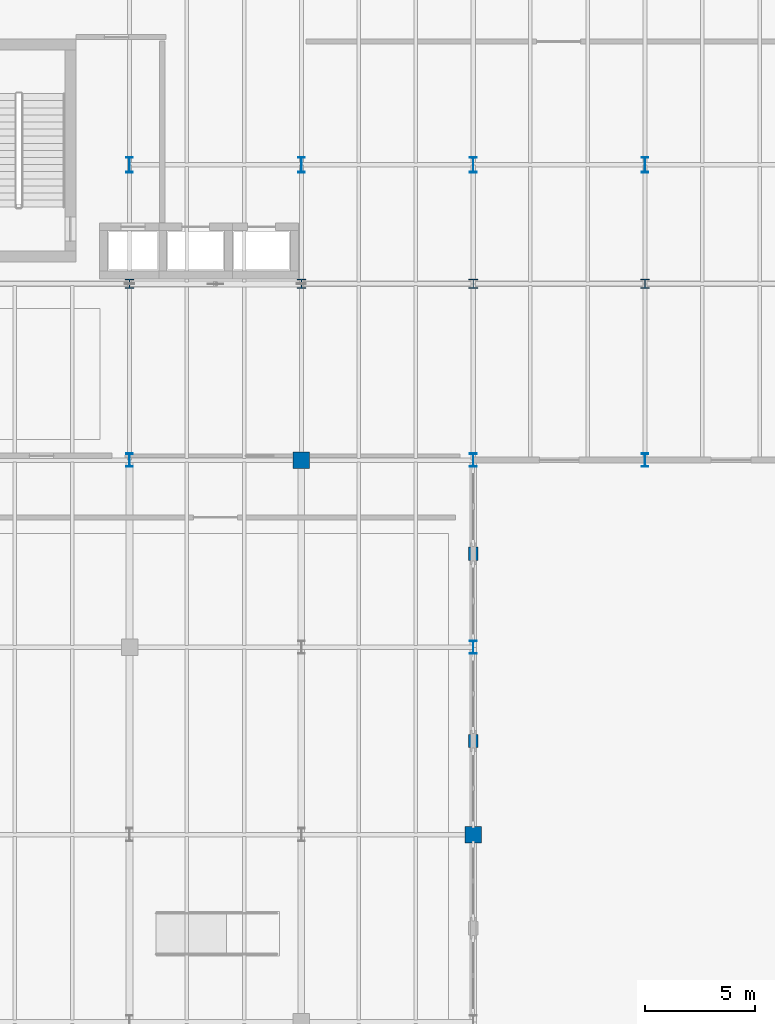
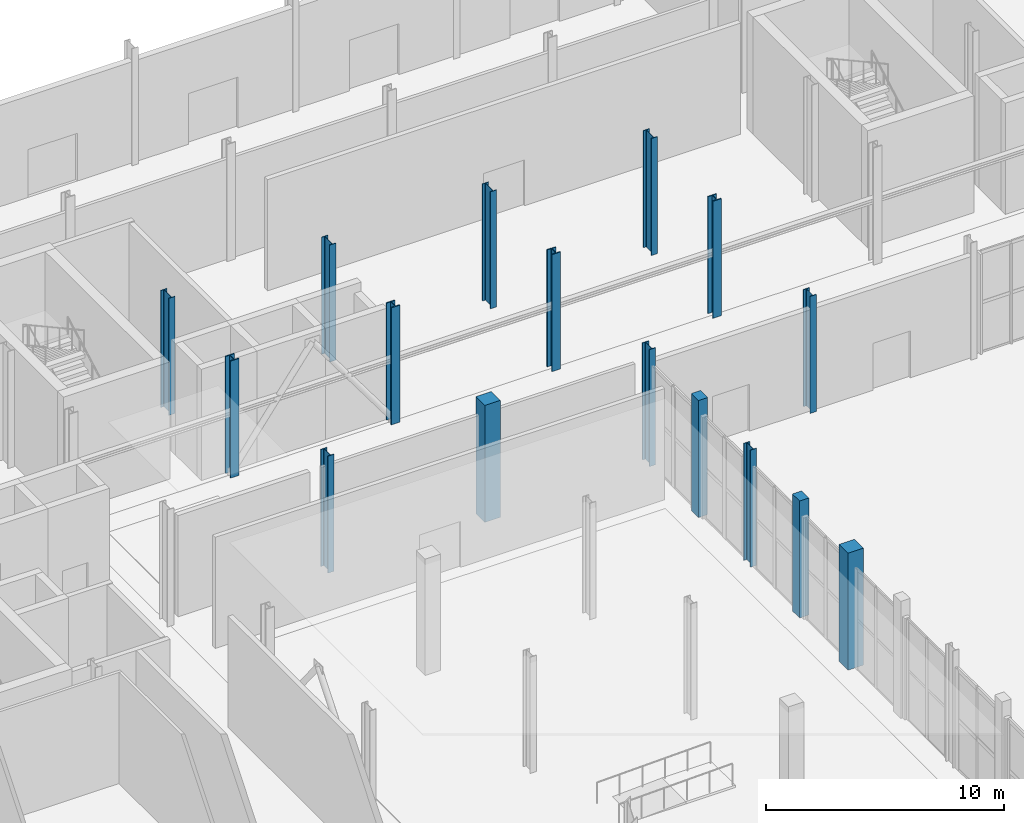
# One storey, part 9 of 84: 16 columns.
"""IFC4 building model written with IfcOpenShell, lengths in metres."""

from ifc_helpers import new_model, si_unit, direction, frame, origin, origin_2d, place, context, subcontext, project, spatial, rectangle, i_section, extrude, material, material_profile, profile_set, type_object, element, save


model = new_model("IFC4")

# Units and contexts
model_context = context("Model", 3, precision=1e-05, world=origin(), true_north=direction((0.0, 1.0)))
body_context = subcontext(model_context, "Body", "Model", "MODEL_VIEW")
ifc_project = project(units=[si_unit("LENGTHUNIT", "METRE"), si_unit("AREAUNIT", "SQUARE_METRE"), si_unit("VOLUMEUNIT", "CUBIC_METRE"), si_unit("PLANEANGLEUNIT", "RADIAN"), si_unit("MASSUNIT", "GRAM", prefix="KILO")], contexts=[model_context])

# Site, building, storey
site_placement = place(None, origin())
site = spatial("IfcSite", under=ifc_project, at=site_placement, CompositionType="ELEMENT")
building_placement = place(site_placement, origin())
building = spatial("IfcBuilding", under=site, at=building_placement, Name="Sefraquen Railside Congress Hotel", CompositionType="ELEMENT")
storey_placement = place(building_placement, origin())
storey = spatial("IfcBuildingStorey", under=building, at=storey_placement, Name="L00", CompositionType="ELEMENT", Elevation=0.0)

# Columns
ifc_material_1 = material(Name="Steel S355J2", Category="steel")
ifc_material_profile_1 = material_profile(ifc_material_1, i_section(OverallWidth=0.416015625, OverallDepth=0.446044921875, WebThickness=0.035888671875, FlangeThickness=0.048095703125, FilletRadius=0.014892578125, at=origin_2d()), Name="HD 400x509")
ifc_profile_set_1 = profile_set([ifc_material_profile_1], Name="Steel S355J2")
column_type_1 = type_object("IfcColumnType", Name="TC-HD-509", PredefinedType="COLUMN", material=ifc_profile_set_1)
for number, where, z_axis, x_axis, name in (
    (1, (33.0, 96.0, 0.0), (0.0, 0.0, 1.0), (1.0, 0.0, 0.0), "Structural column 5-M L00"),
    (2, (40.800048828125, 96.0, 0.0), (0.0, 0.0, 1.0), (1.0, 0.0, 0.0), "Structural column 6-M L00"),
    (3, (48.60009765625, 96.0, 0.0), (0.0, 0.0, 1.0), (1.0, 0.0, 0.0), "Structural column 7-M L00"),
    (4, (56.39990234375, 96.0, 0.0), (0.0, 0.0, 1.0), (1.0, 0.0, 0.0), "Structural column 8-M L00"),
):
    element("IfcColumn", number, at=place(storey_placement, frame(where, z_axis=z_axis, x_axis=x_axis)), inside=storey, type_object=column_type_1, Name=name, PredefinedType="COLUMN", context=body_context, shape_type="SweptSolid", body=[
        extrude(i_section(OverallWidth=0.416015625, OverallDepth=0.446044921875, WebThickness=0.035888671875, FlangeThickness=0.048095703125, FilletRadius=0.014892578125, at=origin_2d()), origin(), (0.0, 0.0, 1.0), 6.0),
    ])
ifc_material_2 = material(Name="Steel S355JR", Category="steel")
ifc_material_profile_2 = material_profile(ifc_material_2, i_section(OverallWidth=0.300048828125, OverallDepth=0.60009765625, WebThickness=0.015380859375, FlangeThickness=0.030029296875, FilletRadius=0.027099609375, at=origin_2d()), Name="HEB 600")
ifc_profile_set_2 = profile_set([ifc_material_profile_2], Name="Steel S355JR")
column_type_2 = type_object("IfcColumnType", Name="TC-HEB-600", PredefinedType="COLUMN", material=ifc_profile_set_2)
for number, where, z_axis, x_axis, name in (
    (5, (33.0, 88.0, 0.0), (0.0, 0.0, 1.0), (1.0, 0.0, 0.0), "Structural column 5-L L00"),
    (6, (48.60009765625, 79.5, 0.0), (0.0, 0.0, 1.0), (1.0, 0.0, 0.0), "Structural column 7-K L00"),
    (7, (48.60009765625, 88.0, 0.0), (0.0, 0.0, 1.0), (1.0, 0.0, 0.0), "Structural column 7-L L00"),
    (8, (56.39990234375, 88.0, 0.0), (0.0, 0.0, 1.0), (1.0, 0.0, 0.0), "Structural column 8-L L00"),
):
    element("IfcColumn", number, at=place(storey_placement, frame(where, z_axis=z_axis, x_axis=x_axis)), inside=storey, type_object=column_type_2, Name=name, PredefinedType="COLUMN", context=body_context, shape_type="SweptSolid", body=[
        extrude(i_section(OverallWidth=0.300048828125, OverallDepth=0.60009765625, WebThickness=0.015380859375, FlangeThickness=0.030029296875, FilletRadius=0.027099609375, at=origin_2d()), origin(), (0.0, 0.0, 1.0), 6.0),
    ])
ifc_material_profile_3 = material_profile(ifc_material_2, i_section(OverallWidth=0.300048828125, OverallDepth=0.699951171875, WebThickness=0.01708984375, FlangeThickness=0.031982421875, FilletRadius=0.027099609375, at=origin_2d()), Name="HEB 700")
ifc_profile_set_3 = profile_set([ifc_material_profile_3], Name="Steel S355JR")
column_type_3 = type_object("IfcColumnType", Name="TC-HEB-700", PredefinedType="COLUMN", material=ifc_profile_set_3)
for number, where, z_axis, x_axis, name in (
    (9, (33.0, 101.39990234375, 0.0), (0.0, 0.0, 1.0), (1.0, 0.0, 0.0), "Structural column 5-N L00"),
    (10, (40.800048828125, 101.39990234375, 0.0), (0.0, 0.0, 1.0), (1.0, 0.0, 0.0), "Structural column 6-N L00"),
    (11, (48.60009765625, 101.39990234375, 0.0), (0.0, 0.0, 1.0), (1.0, 0.0, 0.0), "Structural column 7-N L00"),
    (12, (56.39990234375, 101.39990234375, 0.0), (0.0, 0.0, 1.0), (1.0, 0.0, 0.0), "Structural column 8-N L00"),
):
    element("IfcColumn", number, at=place(storey_placement, frame(where, z_axis=z_axis, x_axis=x_axis)), inside=storey, type_object=column_type_3, Name=name, PredefinedType="COLUMN", context=body_context, shape_type="SweptSolid", body=[
        extrude(i_section(OverallWidth=0.300048828125, OverallDepth=0.699951171875, WebThickness=0.01708984375, FlangeThickness=0.031982421875, FilletRadius=0.027099609375, at=origin_2d()), origin(), (0.0, 0.0, 1.0), 6.0),
    ])
ifc_material_3 = material(Name="Concrete C50/60", Category="concrete")
ifc_material_profile_4 = material_profile(ifc_material_3, rectangle(XDim=0.449951171875, YDim=0.60009765625, at=origin_2d()), Name="RC 600x450")
ifc_profile_set_4 = profile_set([ifc_material_profile_4], Name="Concrete C50/60")
column_type_4 = type_object("IfcColumnType", Name="TC-PIL-600", PredefinedType="PILASTER", material=ifc_profile_set_4)
for number, where, z_axis, x_axis, name in (
    (13, (48.60009765625, 75.25, 0.0), (0.0, 0.0, 1.0), (1.0, 0.0, 0.0), "Courtyard limestone pilaster CPIL-W3 L00"),
    (14, (48.60009765625, 83.75, 0.0), (0.0, 0.0, 1.0), (1.0, 0.0, 0.0), "Courtyard limestone pilaster CPIL-W4 L00"),
):
    element("IfcColumn", number, at=place(storey_placement, frame(where, z_axis=z_axis, x_axis=x_axis)), inside=storey, type_object=column_type_4, Name=name, PredefinedType="PILASTER", context=body_context, shape_type="SweptSolid", body=[
        extrude(rectangle(XDim=0.449951171875, YDim=0.60009765625, at=origin_2d()), origin(), (0.0, 0.0, 1.0), 6.0),
    ])
ifc_material_profile_5 = material_profile(ifc_material_3, rectangle(XDim=0.75, YDim=0.75, at=origin_2d()), Name="RC 750x750")
ifc_profile_set_5 = profile_set([ifc_material_profile_5], Name="Concrete C50/60")
column_type_5 = type_object("IfcColumnType", Name="TC-RC-750", PredefinedType="COLUMN", material=ifc_profile_set_5)
for number, where, z_axis, x_axis, name in (
    (15, (40.800048828125, 88.0, 0.0), (0.0, 0.0, 1.0), (1.0, 0.0, 0.0), "Structural column 6-L L00"),
    (16, (48.60009765625, 71.0, 0.0), (0.0, 0.0, 1.0), (1.0, 0.0, 0.0), "Structural column 7-J L00"),
):
    element("IfcColumn", number, at=place(storey_placement, frame(where, z_axis=z_axis, x_axis=x_axis)), inside=storey, type_object=column_type_5, Name=name, PredefinedType="COLUMN", context=body_context, shape_type="SweptSolid", body=[
        extrude(rectangle(XDim=0.75, YDim=0.75, at=origin_2d()), origin(), (0.0, 0.0, 1.0), 6.0),
    ])

save(model, "model.ifc")
